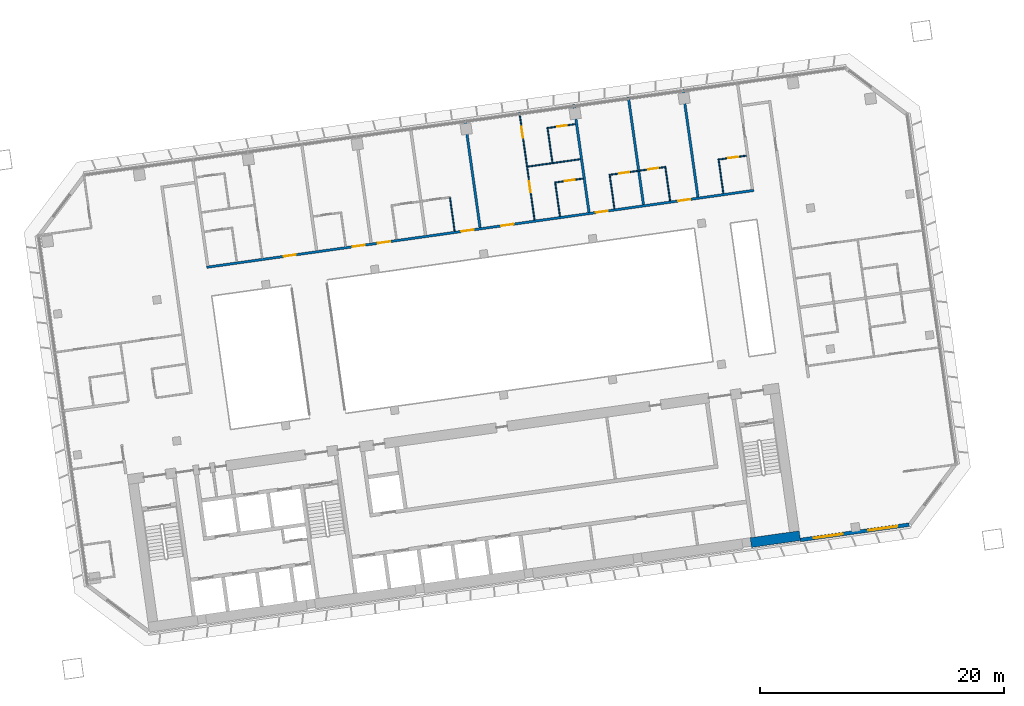
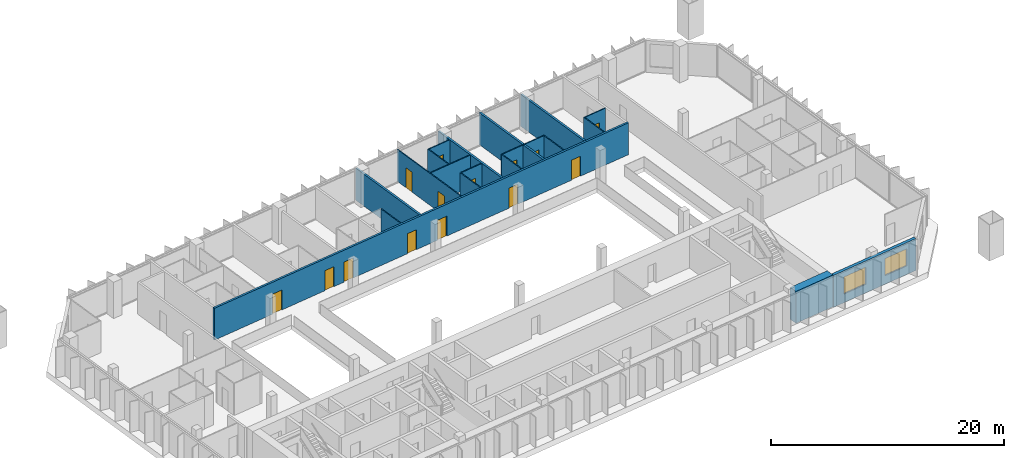
# One storey, part 21 of 26: 19 walls, 14 doors, 2 windows, 16 openings.
"""IFC4 building model written with IfcOpenShell, lengths in metres."""

from ifc_helpers import new_model, si_unit, direction, frame, frame_2d, origin, place, context, subcontext, project, spatial, rectangle, extrude, material, layer, layer_set, type_object, element, fill, save


model = new_model("IFC4")

# Units and contexts
model_context = context("Model", 3, precision=1e-05, world=origin(), true_north=direction((0.0, 1.0)))
body_context = subcontext(model_context, "Body", "Model", "MODEL_VIEW")
ifc_project = project(units=[si_unit("LENGTHUNIT", "METRE"), si_unit("AREAUNIT", "SQUARE_METRE"), si_unit("VOLUMEUNIT", "CUBIC_METRE"), si_unit("PLANEANGLEUNIT", "RADIAN"), si_unit("MASSUNIT", "GRAM", prefix="KILO")], contexts=[model_context])

# Site, building, storey
site_placement = place(None, origin())
site = spatial("IfcSite", under=ifc_project, at=site_placement, CompositionType="ELEMENT")
building_placement = place(site_placement, origin())
building = spatial("IfcBuilding", under=site, at=building_placement, Name="Mirante Cascada Hotel Towers", CompositionType="ELEMENT")
storey_placement = place(building_placement, frame((0.0, 0.0, 106.3)))
storey = spatial("IfcBuildingStorey", under=building, at=storey_placement, Name="L23", CompositionType="ELEMENT", Elevation=106.3)

# Wall, openings, doors
ifc_material_1 = material(Name="Fire-rated plasterboard on metal studs")
ifc_layer_1 = layer(ifc_material_1, 0.2)
ifc_layer_set_1 = layer_set([ifc_layer_1], Name="Compartment wall 200 EI 120")
wall_type_1 = type_object("IfcWallType", Name="Compartment wall 200 EI 120", PredefinedType="PARTITIONING", material=ifc_layer_set_1)
wall_1_placement = place(storey_placement, frame((41.8779, 9.7676, 0.0), z_axis=(0.0, 0.0, 1.0), x_axis=(0.9902681, 0.1391726, 0.0)))
wall_1 = element("IfcWall", 1, at=wall_1_placement, inside=storey, type_object=wall_type_1, Name="Wall 2-L23-18", PredefinedType="PARTITIONING", context=body_context, shape_type="SweptSolid", body=[
    extrude(rectangle(XDim=45.2, YDim=0.2, at=frame_2d((22.6, 0.0))), origin(), (0.0, 0.0, 1.0), 3.35),
])
opening_1_placement = place(wall_1_placement, frame((6.35, 0.0, 0.0)))
opening_1 = element("IfcOpeningElement", 2, at=opening_1_placement, cuts=wall_1, Name="Opening D2-L23-09", PredefinedType="OPENING", context=body_context, shape_type="SweptSolid", body=[
    extrude(rectangle(XDim=1.0, YDim=2.1, at=frame_2d((0.5, 1.05))), frame((0.0, 0.1, 0.0), z_axis=(0.0, -1.0, 0.0), x_axis=(1.0, 0.0, 0.0)), (0.0, 0.0, 1.0), 0.2),
])
opening_2_placement = place(wall_1_placement, frame((12.05, 0.0, 0.0)))
opening_2 = element("IfcOpeningElement", 3, at=opening_2_placement, cuts=wall_1, Name="Opening D2-L23-10", PredefinedType="OPENING", context=body_context, shape_type="SweptSolid", body=[
    extrude(rectangle(XDim=1.0, YDim=2.1, at=frame_2d((0.5, 1.05))), frame((0.0, 0.1, 0.0), z_axis=(0.0, -1.0, 0.0), x_axis=(1.0, 0.0, 0.0)), (0.0, 0.0, 1.0), 0.2),
])
opening_3_placement = place(wall_1_placement, frame((14.15, 0.0, 0.0)))
opening_3 = element("IfcOpeningElement", 4, at=opening_3_placement, cuts=wall_1, Name="Opening D2-L23-11", PredefinedType="OPENING", context=body_context, shape_type="SweptSolid", body=[
    extrude(rectangle(XDim=1.0, YDim=2.1, at=frame_2d((0.5, 1.05))), frame((0.0, 0.1, 0.0), z_axis=(0.0, -1.0, 0.0), x_axis=(1.0, 0.0, 0.0)), (0.0, 0.0, 1.0), 0.2),
])
opening_4_placement = place(wall_1_placement, frame((21.05, 0.0, 0.0)))
opening_4 = element("IfcOpeningElement", 5, at=opening_4_placement, cuts=wall_1, Name="Opening D2-L23-12", PredefinedType="OPENING", context=body_context, shape_type="SweptSolid", body=[
    extrude(rectangle(XDim=1.0, YDim=2.1, at=frame_2d((0.5, 1.05))), frame((0.0, 0.1, 0.0), z_axis=(0.0, -1.0, 0.0), x_axis=(1.0, 0.0, 0.0)), (0.0, 0.0, 1.0), 0.2),
])
opening_5_placement = place(wall_1_placement, frame((24.35, 0.0, 0.0)))
opening_5 = element("IfcOpeningElement", 6, at=opening_5_placement, cuts=wall_1, Name="Opening D2-L23-13", PredefinedType="OPENING", context=body_context, shape_type="SweptSolid", body=[
    extrude(rectangle(XDim=1.0, YDim=2.1, at=frame_2d((0.5, 1.05))), frame((0.0, 0.1, 0.0), z_axis=(0.0, -1.0, 0.0), x_axis=(1.0, 0.0, 0.0)), (0.0, 0.0, 1.0), 0.2),
])
opening_6_placement = place(wall_1_placement, frame((32.15, 0.0, 0.0)))
opening_6 = element("IfcOpeningElement", 7, at=opening_6_placement, cuts=wall_1, Name="Opening D2-L23-14", PredefinedType="OPENING", context=body_context, shape_type="SweptSolid", body=[
    extrude(rectangle(XDim=1.0, YDim=2.1, at=frame_2d((0.5, 1.05))), frame((0.0, 0.1, 0.0), z_axis=(0.0, -1.0, 0.0), x_axis=(1.0, 0.0, 0.0)), (0.0, 0.0, 1.0), 0.2),
])
opening_7_placement = place(wall_1_placement, frame((38.95, 0.0, 0.0)))
opening_7 = element("IfcOpeningElement", 8, at=opening_7_placement, cuts=wall_1, Name="Opening D2-L23-15", PredefinedType="OPENING", context=body_context, shape_type="SweptSolid", body=[
    extrude(rectangle(XDim=1.0, YDim=2.1, at=frame_2d((0.5, 1.05))), frame((0.0, 0.1, 0.0), z_axis=(0.0, -1.0, 0.0), x_axis=(1.0, 0.0, 0.0)), (0.0, 0.0, 1.0), 0.2),
])
ifc_material_2 = material(Name="Fire-rated timber door leaf", Category="wood")
door_type_1 = type_object("IfcDoorType", Name="Entrance door DG1 1000x2100 EI 60", OperationType="SINGLE_SWING_LEFT", PredefinedType="DOOR", material=ifc_material_2)
door_1_placement = place(opening_1_placement, origin())
door_1 = element("IfcDoor", 9, at=door_1_placement, inside=storey, type_object=door_type_1, Name="Door D2-L23-09", OperationType="SINGLE_SWING_LEFT", OverallHeight=2.1, OverallWidth=1.0, PredefinedType="DOOR", context=body_context, shape_type="SweptSolid", body=[
    extrude(rectangle(XDim=1.0, YDim=2.1, at=frame_2d((0.5, 1.05))), frame((0.0, 0.025, 0.0), z_axis=(0.0, -1.0, 0.0), x_axis=(1.0, 0.0, 0.0)), (0.0, 0.0, 1.0), 0.05),
])
fill(opening_1, door_1)
door_2_placement = place(opening_2_placement, origin())
door_2 = element("IfcDoor", 10, at=door_2_placement, inside=storey, type_object=door_type_1, Name="Door D2-L23-10", OperationType="SINGLE_SWING_LEFT", OverallHeight=2.1, OverallWidth=1.0, PredefinedType="DOOR", context=body_context, shape_type="SweptSolid", body=[
    extrude(rectangle(XDim=1.0, YDim=2.1, at=frame_2d((0.5, 1.05))), frame((0.0, 0.025, 0.0), z_axis=(0.0, -1.0, 0.0), x_axis=(1.0, 0.0, 0.0)), (0.0, 0.0, 1.0), 0.05),
])
fill(opening_2, door_2)
door_3_placement = place(opening_3_placement, origin())
door_3 = element("IfcDoor", 11, at=door_3_placement, inside=storey, type_object=door_type_1, Name="Door D2-L23-11", OperationType="SINGLE_SWING_LEFT", OverallHeight=2.1, OverallWidth=1.0, PredefinedType="DOOR", context=body_context, shape_type="SweptSolid", body=[
    extrude(rectangle(XDim=1.0, YDim=2.1, at=frame_2d((0.5, 1.05))), frame((0.0, 0.025, 0.0), z_axis=(0.0, -1.0, 0.0), x_axis=(1.0, 0.0, 0.0)), (0.0, 0.0, 1.0), 0.05),
])
fill(opening_3, door_3)
door_4_placement = place(opening_4_placement, origin())
door_4 = element("IfcDoor", 12, at=door_4_placement, inside=storey, type_object=door_type_1, Name="Door D2-L23-12", OperationType="SINGLE_SWING_LEFT", OverallHeight=2.1, OverallWidth=1.0, PredefinedType="DOOR", context=body_context, shape_type="SweptSolid", body=[
    extrude(rectangle(XDim=1.0, YDim=2.1, at=frame_2d((0.5, 1.05))), frame((0.0, 0.025, 0.0), z_axis=(0.0, -1.0, 0.0), x_axis=(1.0, 0.0, 0.0)), (0.0, 0.0, 1.0), 0.05),
])
fill(opening_4, door_4)
door_5_placement = place(opening_5_placement, origin())
door_5 = element("IfcDoor", 13, at=door_5_placement, inside=storey, type_object=door_type_1, Name="Door D2-L23-13", OperationType="SINGLE_SWING_LEFT", OverallHeight=2.1, OverallWidth=1.0, PredefinedType="DOOR", context=body_context, shape_type="SweptSolid", body=[
    extrude(rectangle(XDim=1.0, YDim=2.1, at=frame_2d((0.5, 1.05))), frame((0.0, 0.025, 0.0), z_axis=(0.0, -1.0, 0.0), x_axis=(1.0, 0.0, 0.0)), (0.0, 0.0, 1.0), 0.05),
])
fill(opening_5, door_5)
door_6_placement = place(opening_6_placement, origin())
door_6 = element("IfcDoor", 14, at=door_6_placement, inside=storey, type_object=door_type_1, Name="Door D2-L23-14", OperationType="SINGLE_SWING_LEFT", OverallHeight=2.1, OverallWidth=1.0, PredefinedType="DOOR", context=body_context, shape_type="SweptSolid", body=[
    extrude(rectangle(XDim=1.0, YDim=2.1, at=frame_2d((0.5, 1.05))), frame((0.0, 0.025, 0.0), z_axis=(0.0, -1.0, 0.0), x_axis=(1.0, 0.0, 0.0)), (0.0, 0.0, 1.0), 0.05),
])
fill(opening_6, door_6)
door_7_placement = place(opening_7_placement, origin())
door_7 = element("IfcDoor", 15, at=door_7_placement, inside=storey, type_object=door_type_1, Name="Door D2-L23-15", OperationType="SINGLE_SWING_LEFT", OverallHeight=2.1, OverallWidth=1.0, PredefinedType="DOOR", context=body_context, shape_type="SweptSolid", body=[
    extrude(rectangle(XDim=1.0, YDim=2.1, at=frame_2d((0.5, 1.05))), frame((0.0, 0.025, 0.0), z_axis=(0.0, -1.0, 0.0), x_axis=(1.0, 0.0, 0.0)), (0.0, 0.0, 1.0), 0.05),
])
fill(opening_7, door_7)

# Walls
for number, where, z_axis, x_axis, name in (
    (16, (63.0054, 21.8253, 0.0), (0.0, 0.0, 1.0), (0.1391684, -0.9902687, 0.0), "Wall 2-L23-49"),
    (17, (71.9178, 23.0779, 0.0), (0.0, 0.0, 1.0), (0.1391684, -0.9902687, 0.0), "Wall 2-L23-53"),
    (18, (76.374, 23.7042, 0.0), (0.0, 0.0, 1.0), (0.1391684, -0.9902687, 0.0), "Wall 2-L23-55"),
):
    element("IfcWall", number, at=place(storey_placement, frame(where, z_axis=z_axis, x_axis=x_axis)), inside=storey, type_object=wall_type_1, Name=name, PredefinedType="PARTITIONING", context=body_context, shape_type="SweptSolid", body=[
        extrude(rectangle(XDim=8.9, YDim=0.2, at=frame_2d((4.45, 0.0))), origin(), (0.0, 0.0, 1.0), 3.35),
    ])
wall_2_placement = place(storey_placement, frame((80.8302, 24.3304, 0.0), z_axis=(0.0, 0.0, 1.0), x_axis=(0.13917, -0.9902685, 0.0)))
element("IfcWall", 19, at=wall_2_placement, inside=storey, type_object=wall_type_1, Name="Wall 2-L23-57", PredefinedType="PARTITIONING", context=body_context, shape_type="SweptSolid", body=[
    extrude(rectangle(XDim=8.8999, YDim=0.2, at=frame_2d((4.45, 0.0))), origin(), (0.0, 0.0, 1.0), 3.35),
])

# Wall, opening, door
ifc_material_3 = material(Name="Plasterboard on metal studs")
ifc_layer_2 = layer(ifc_material_3, 0.1)
ifc_layer_set_2 = layer_set([ifc_layer_2], Name="Partition 100")
wall_type_2 = type_object("IfcWallType", Name="Partition 100", PredefinedType="PARTITIONING", material=ifc_layer_set_2)
wall_3_placement = place(storey_placement, frame((70.4396, 16.7102, 0.0), z_axis=(0.0, 0.0, 1.0), x_axis=(0.9902705, 0.1391561, 0.0)))
wall_3 = element("IfcWall", 20, at=wall_3_placement, inside=storey, type_object=wall_type_2, Name="Wall 2-L23-22", PredefinedType="PARTITIONING", context=body_context, shape_type="SweptSolid", body=[
    extrude(rectangle(XDim=2.25, YDim=0.1, at=frame_2d((1.125, 0.0))), origin(), (0.0, 0.0, 1.0), 3.35),
])
opening_8_placement = place(wall_3_placement, frame((0.75, 0.0, 0.0)))
opening_8 = element("IfcOpeningElement", 21, at=opening_8_placement, cuts=wall_3, Name="Opening D2-L23-20", PredefinedType="OPENING", context=body_context, shape_type="SweptSolid", body=[
    extrude(rectangle(XDim=0.8, YDim=2.1, at=frame_2d((0.4, 1.05))), frame((0.0, 0.05, 0.0), z_axis=(0.0, -1.0, 0.0), x_axis=(1.0, 0.0, 0.0)), (0.0, 0.0, 1.0), 0.1),
])
ifc_material_4 = material(Name="Timber door leaf", Category="wood")
door_type_2 = type_object("IfcDoorType", Name="Bathroom door DG4 800x2100", OperationType="SINGLE_SWING_LEFT", PredefinedType="DOOR", material=ifc_material_4)
door_8_placement = place(opening_8_placement, frame((0.8, 0.0, 0.0), z_axis=(0.0, 0.0, 1.0), x_axis=(-1.0, 0.0, 0.0)))
door_8 = element("IfcDoor", 22, at=door_8_placement, inside=storey, type_object=door_type_2, Name="Door D2-L23-20", OperationType="SINGLE_SWING_RIGHT", OverallHeight=2.1, OverallWidth=0.8, PredefinedType="DOOR", context=body_context, shape_type="SweptSolid", body=[
    extrude(rectangle(XDim=0.8, YDim=2.1, at=frame_2d((0.4, 1.05))), frame((0.0, 0.025, 0.0), z_axis=(0.0, -1.0, 0.0), x_axis=(1.0, 0.0, 0.0)), (0.0, 0.0, 1.0), 0.05),
])
fill(opening_8, door_8)

# Wall, openings, doors
wall_4_placement = place(storey_placement, frame((79.451, 17.9767, 0.0), z_axis=(0.0, 0.0, 1.0), x_axis=(-0.9902682, -0.139172, 0.0)))
wall_4 = element("IfcWall", 23, at=wall_4_placement, inside=storey, type_object=wall_type_2, Name="Wall 2-L23-23", PredefinedType="PARTITIONING", context=body_context, shape_type="SweptSolid", body=[
    extrude(rectangle(XDim=4.6999, YDim=0.1, at=frame_2d((2.35, 0.0))), origin(), (0.0, 0.0, 1.0), 3.35),
])
opening_9_placement = place(wall_4_placement, frame((3.05, 0.0, 0.0)))
opening_9 = element("IfcOpeningElement", 24, at=opening_9_placement, cuts=wall_4, Name="Opening D2-L23-21", PredefinedType="OPENING", context=body_context, shape_type="SweptSolid", body=[
    extrude(rectangle(XDim=0.8, YDim=2.1, at=frame_2d((0.4, 1.05))), frame((0.0, 0.05, 0.0), z_axis=(0.0, -1.0, 0.0), x_axis=(1.0, 0.0, 0.0)), (0.0, 0.0, 1.0), 0.1),
])
opening_10_placement = place(wall_4_placement, frame((0.65, 0.0, 0.0)))
opening_10 = element("IfcOpeningElement", 25, at=opening_10_placement, cuts=wall_4, Name="Opening D2-L23-22", PredefinedType="OPENING", context=body_context, shape_type="SweptSolid", body=[
    extrude(rectangle(XDim=0.8, YDim=2.1, at=frame_2d((0.4, 1.05))), frame((0.0, 0.05, 0.0), z_axis=(0.0, -1.0, 0.0), x_axis=(1.0, 0.0, 0.0)), (0.0, 0.0, 1.0), 0.1),
])
door_9_placement = place(opening_9_placement, frame((0.8, 0.0, 0.0), z_axis=(0.0, 0.0, 1.0), x_axis=(-1.0, 0.0, 0.0)))
door_9 = element("IfcDoor", 26, at=door_9_placement, inside=storey, type_object=door_type_2, Name="Door D2-L23-21", OperationType="SINGLE_SWING_RIGHT", OverallHeight=2.1, OverallWidth=0.8, PredefinedType="DOOR", context=body_context, shape_type="SweptSolid", body=[
    extrude(rectangle(XDim=0.8, YDim=2.1, at=frame_2d((0.4, 1.05))), frame((0.0, 0.025, 0.0), z_axis=(0.0, -1.0, 0.0), x_axis=(1.0, 0.0, 0.0)), (0.0, 0.0, 1.0), 0.05),
])
fill(opening_9, door_9)
door_10_placement = place(opening_10_placement, frame((0.8, 0.0, 0.0), z_axis=(0.0, 0.0, 1.0), x_axis=(-1.0, 0.0, 0.0)))
door_10 = element("IfcDoor", 27, at=door_10_placement, inside=storey, type_object=door_type_2, Name="Door D2-L23-22", OperationType="SINGLE_SWING_RIGHT", OverallHeight=2.1, OverallWidth=0.8, PredefinedType="DOOR", context=body_context, shape_type="SweptSolid", body=[
    extrude(rectangle(XDim=0.8, YDim=2.1, at=frame_2d((0.4, 1.05))), frame((0.0, 0.025, 0.0), z_axis=(0.0, -1.0, 0.0), x_axis=(1.0, 0.0, 0.0)), (0.0, 0.0, 1.0), 0.05),
])
fill(opening_10, door_10)

# Wall, opening, door
wall_5_placement = place(storey_placement, frame((83.8082, 18.589, 0.0), z_axis=(0.0, 0.0, 1.0), x_axis=(0.9902643, 0.1391997, 0.0)))
wall_5 = element("IfcWall", 28, at=wall_5_placement, inside=storey, type_object=wall_type_2, Name="Wall 2-L23-24", PredefinedType="PARTITIONING", context=body_context, shape_type="SweptSolid", body=[
    extrude(rectangle(XDim=2.25, YDim=0.1, at=frame_2d((1.125, 0.0))), origin(), (0.0, 0.0, 1.0), 3.35),
])
opening_11_placement = place(wall_5_placement, frame((0.75, 0.0, 0.0)))
opening_11 = element("IfcOpeningElement", 29, at=opening_11_placement, cuts=wall_5, Name="Opening D2-L23-23", PredefinedType="OPENING", context=body_context, shape_type="SweptSolid", body=[
    extrude(rectangle(XDim=0.8, YDim=2.1, at=frame_2d((0.4, 1.05))), frame((0.0, 0.05, 0.0), z_axis=(0.0, -1.0, 0.0), x_axis=(1.0, 0.0, 0.0)), (0.0, 0.0, 1.0), 0.1),
])
door_11_placement = place(opening_11_placement, origin())
door_11 = element("IfcDoor", 30, at=door_11_placement, inside=storey, type_object=door_type_2, Name="Door D2-L23-23", OperationType="SINGLE_SWING_LEFT", OverallHeight=2.1, OverallWidth=0.8, PredefinedType="DOOR", context=body_context, shape_type="SweptSolid", body=[
    extrude(rectangle(XDim=0.8, YDim=2.1, at=frame_2d((0.4, 1.05))), frame((0.0, 0.025, 0.0), z_axis=(0.0, -1.0, 0.0), x_axis=(1.0, 0.0, 0.0)), (0.0, 0.0, 1.0), 0.05),
])
fill(opening_11, door_11)

# Wall
wall_6_placement = place(storey_placement, frame((72.445, 18.6078, 0.0), z_axis=(0.0, 0.0, 1.0), x_axis=(-0.9902679, -0.1391745, 0.0)))
element("IfcWall", 31, at=wall_6_placement, inside=storey, type_object=wall_type_2, Name="Wall 2-L23-27", PredefinedType="PARTITIONING", context=body_context, shape_type="SweptSolid", body=[
    extrude(rectangle(XDim=4.3499, YDim=0.1, at=frame_2d((2.175, 0.0))), origin(), (0.0, 0.0, 1.0), 3.35),
])

# Wall, opening, door
wall_7_placement = place(storey_placement, frame((72.0414, 21.4795, 0.0), z_axis=(0.0, 0.0, 1.0), x_axis=(-0.9902705, -0.1391561, 0.0)))
wall_7 = element("IfcWall", 32, at=wall_7_placement, inside=storey, type_object=wall_type_2, Name="Wall 2-L23-31", PredefinedType="PARTITIONING", context=body_context, shape_type="SweptSolid", body=[
    extrude(rectangle(XDim=2.25, YDim=0.1, at=frame_2d((1.125, 0.0))), origin(), (0.0, 0.0, 1.0), 3.35),
])
opening_12_placement = place(wall_7_placement, frame((0.7, 0.0, 0.0)))
opening_12 = element("IfcOpeningElement", 33, at=opening_12_placement, cuts=wall_7, Name="Opening D2-L23-25", PredefinedType="OPENING", context=body_context, shape_type="SweptSolid", body=[
    extrude(rectangle(XDim=0.8, YDim=2.1, at=frame_2d((0.4, 1.05))), frame((0.0, 0.05, 0.0), z_axis=(0.0, -1.0, 0.0), x_axis=(1.0, 0.0, 0.0)), (0.0, 0.0, 1.0), 0.1),
])
door_12_placement = place(opening_12_placement, origin())
door_12 = element("IfcDoor", 34, at=door_12_placement, inside=storey, type_object=door_type_2, Name="Door D2-L23-25", OperationType="SINGLE_SWING_LEFT", OverallHeight=2.1, OverallWidth=0.8, PredefinedType="DOOR", context=body_context, shape_type="SweptSolid", body=[
    extrude(rectangle(XDim=0.8, YDim=2.1, at=frame_2d((0.4, 1.05))), frame((0.0, 0.025, 0.0), z_axis=(0.0, -1.0, 0.0), x_axis=(1.0, 0.0, 0.0)), (0.0, 0.0, 1.0), 0.05),
])
fill(opening_12, door_12)

# Wall
wall_8_placement = place(storey_placement, frame((62.1644, 12.7197, 0.0), z_axis=(0.0, 0.0, 1.0), x_axis=(-0.1391657, 0.9902691, 0.0)))
element("IfcWall", 35, at=wall_8_placement, inside=storey, type_object=wall_type_2, Name="Wall 2-L23-48", PredefinedType="PARTITIONING", context=body_context, shape_type="SweptSolid", body=[
    extrude(rectangle(XDim=2.75, YDim=0.1, at=frame_2d((1.375, 0.0))), origin(), (0.0, 0.0, 1.0), 3.35),
])

# Wall, openings, doors
wall_9_placement = place(storey_placement, frame((68.7002, 13.6382, 0.0), z_axis=(0.0, 0.0, 1.0), x_axis=(-0.1391684, 0.9902687, 0.0)))
wall_9 = element("IfcWall", 36, at=wall_9_placement, inside=storey, type_object=wall_type_2, Name="Wall 2-L23-50", PredefinedType="PARTITIONING", context=body_context, shape_type="SweptSolid", body=[
    extrude(rectangle(XDim=8.9, YDim=0.1, at=frame_2d((4.45, 0.0))), origin(), (0.0, 0.0, 1.0), 3.35),
])
opening_13_placement = place(wall_9_placement, frame((2.3, 0.0, 0.0)))
opening_13 = element("IfcOpeningElement", 37, at=opening_13_placement, cuts=wall_9, Name="Opening D2-L23-34", PredefinedType="OPENING", context=body_context, shape_type="SweptSolid", body=[
    extrude(rectangle(XDim=0.9, YDim=2.1, at=frame_2d((0.45, 1.05))), frame((0.0, 0.05, 0.0), z_axis=(0.0, -1.0, 0.0), x_axis=(1.0, 0.0, 0.0)), (0.0, 0.0, 1.0), 0.1),
])
opening_14_placement = place(wall_9_placement, frame((6.8, 0.0, 0.0)))
opening_14 = element("IfcOpeningElement", 38, at=opening_14_placement, cuts=wall_9, Name="Opening D2-L23-35", PredefinedType="OPENING", context=body_context, shape_type="SweptSolid", body=[
    extrude(rectangle(XDim=0.9, YDim=2.1, at=frame_2d((0.45, 1.05))), frame((0.0, 0.05, 0.0), z_axis=(0.0, -1.0, 0.0), x_axis=(1.0, 0.0, 0.0)), (0.0, 0.0, 1.0), 0.1),
])
ifc_material_5 = material(Name="Timber door leaf", Category="wood")
door_type_3 = type_object("IfcDoorType", Name="Room door DG3 900x2100", OperationType="SINGLE_SWING_LEFT", PredefinedType="DOOR", material=ifc_material_5)
door_13_placement = place(opening_13_placement, origin())
door_13 = element("IfcDoor", 39, at=door_13_placement, inside=storey, type_object=door_type_3, Name="Door D2-L23-34", OperationType="SINGLE_SWING_LEFT", OverallHeight=2.1, OverallWidth=0.9, PredefinedType="DOOR", context=body_context, shape_type="SweptSolid", body=[
    extrude(rectangle(XDim=0.9, YDim=2.1, at=frame_2d((0.45, 1.05))), frame((0.0, 0.025, 0.0), z_axis=(0.0, -1.0, 0.0), x_axis=(1.0, 0.0, 0.0)), (0.0, 0.0, 1.0), 0.05),
])
fill(opening_13, door_13)
door_14_placement = place(opening_14_placement, origin())
door_14 = element("IfcDoor", 40, at=door_14_placement, inside=storey, type_object=door_type_3, Name="Door D2-L23-35", OperationType="SINGLE_SWING_LEFT", OverallHeight=2.1, OverallWidth=0.9, PredefinedType="DOOR", context=body_context, shape_type="SweptSolid", body=[
    extrude(rectangle(XDim=0.9, YDim=2.1, at=frame_2d((0.45, 1.05))), frame((0.0, 0.025, 0.0), z_axis=(0.0, -1.0, 0.0), x_axis=(1.0, 0.0, 0.0)), (0.0, 0.0, 1.0), 0.05),
])
fill(opening_14, door_14)

# Walls
wall_10_placement = place(storey_placement, frame((70.3831, 16.7527, 0.0), z_axis=(0.0, 0.0, 1.0), x_axis=(0.1391957, -0.9902649, 0.0)))
element("IfcWall", 41, at=wall_10_placement, inside=storey, type_object=wall_type_2, Name="Wall 2-L23-51", PredefinedType="PARTITIONING", context=body_context, shape_type="SweptSolid", body=[
    extrude(rectangle(XDim=2.8499, YDim=0.1, at=frame_2d((1.425, 0.0))), origin(), (0.0, 0.0, 1.0), 3.35),
])
wall_11_placement = place(storey_placement, frame((70.1605, 18.3372, 0.0), z_axis=(0.0, 0.0, 1.0), x_axis=(-0.1392052, 0.9902636, 0.0)))
element("IfcWall", 42, at=wall_11_placement, inside=storey, type_object=wall_type_2, Name="Wall 2-L23-52", PredefinedType="PARTITIONING", context=body_context, shape_type="SweptSolid", body=[
    extrude(rectangle(XDim=2.9, YDim=0.1, at=frame_2d((1.45, 0.0))), origin(), (0.0, 0.0, 1.0), 3.35),
])
for number, where, z_axis, x_axis, name in (
    (43, (75.236, 14.5568, 0.0), (0.0, 0.0, 1.0), (-0.1391657, 0.9902691, 0.0), "Wall 2-L23-54"),
    (44, (79.7912, 15.197, 0.0), (0.0, 0.0, 1.0), (-0.1391657, 0.9902691, 0.0), "Wall 2-L23-56"),
):
    element("IfcWall", number, at=place(storey_placement, frame(where, z_axis=z_axis, x_axis=x_axis)), inside=storey, type_object=wall_type_2, Name=name, PredefinedType="PARTITIONING", context=body_context, shape_type="SweptSolid", body=[
        extrude(rectangle(XDim=2.75, YDim=0.1, at=frame_2d((1.375, 0.0))), origin(), (0.0, 0.0, 1.0), 3.35),
    ])
wall_12_placement = place(storey_placement, frame((84.1484, 15.8093, 0.0), z_axis=(0.0, 0.0, 1.0), x_axis=(-0.1391909, 0.9902656, 0.0)))
element("IfcWall", 45, at=wall_12_placement, inside=storey, type_object=wall_type_2, Name="Wall 2-L23-58", PredefinedType="PARTITIONING", context=body_context, shape_type="SweptSolid", body=[
    extrude(rectangle(XDim=2.85, YDim=0.1, at=frame_2d((1.425, 0.0))), origin(), (0.0, 0.0, 1.0), 3.35),
])

# Wall, openings, windows
ifc_material_6 = material(Name="Precast concrete C40/50", Category="concrete")
ifc_layer_3 = layer(ifc_material_6, 0.3)
ifc_layer_set_3 = layer_set([ifc_layer_3], Name="Precast concrete C40/50 cladding wall 300")
wall_type_3 = type_object("IfcWallType", Name="Precast concrete C40/50 cladding wall 300", PredefinedType="STANDARD", material=ifc_layer_set_3)
wall_13_placement = place(storey_placement, frame((90.4551, -12.5388, 0.0), z_axis=(0.0, 0.0, 1.0), x_axis=(0.990268, 0.1391734, 0.0)))
wall_13 = element("IfcWall", 46, at=wall_13_placement, inside=storey, type_object=wall_type_3, Name="Rear cladding wall T2 L23 1", PredefinedType="STANDARD", context=body_context, shape_type="SweptSolid", body=[
    extrude(rectangle(XDim=8.9759, YDim=0.3, at=frame_2d((4.488, 0.0))), origin(), (0.0, 0.0, 1.0), 3.35),
])
opening_15_placement = place(wall_13_placement, frame((1.1012, 0.0, 0.9)))
opening_15 = element("IfcOpeningElement", 47, at=opening_15_placement, cuts=wall_13, Name="Opening W2-23-01", PredefinedType="OPENING", context=body_context, shape_type="SweptSolid", body=[
    extrude(rectangle(XDim=2.4, YDim=1.8, at=frame_2d((1.2, 0.9))), frame((0.0, 0.15, 0.0), z_axis=(0.0, -1.0, 0.0), x_axis=(1.0, 0.0, 0.0)), (0.0, 0.0, 1.0), 0.3),
])
opening_16_placement = place(wall_13_placement, frame((5.5923, 0.0, 0.9)))
opening_16 = element("IfcOpeningElement", 48, at=opening_16_placement, cuts=wall_13, Name="Opening W2-23-02", PredefinedType="OPENING", context=body_context, shape_type="SweptSolid", body=[
    extrude(rectangle(XDim=2.4, YDim=1.8, at=frame_2d((1.2, 0.9))), frame((0.0, 0.15, 0.0), z_axis=(0.0, -1.0, 0.0), x_axis=(1.0, 0.0, 0.0)), (0.0, 0.0, 1.0), 0.3),
])
ifc_material_7 = material(Name="Aluminium frame with clear double glazing", Category="aluminium")
window_type = type_object("IfcWindowType", Name="Punched window 2400x1800", PartitioningType="DOUBLE_PANEL_VERTICAL", PredefinedType="WINDOW", material=ifc_material_7)
window_1_placement = place(opening_15_placement, origin())
window_1 = element("IfcWindow", 49, at=window_1_placement, inside=storey, type_object=window_type, Name="Window W2-23-01", OverallHeight=1.8, OverallWidth=2.4, PartitioningType="SINGLE_PANEL", PredefinedType="WINDOW", context=body_context, shape_type="SweptSolid", body=[
    extrude(rectangle(XDim=2.4, YDim=1.8, at=frame_2d((1.2, 0.9))), frame((0.0, 0.03, 0.0), z_axis=(0.0, -1.0, 0.0), x_axis=(1.0, 0.0, 0.0)), (0.0, 0.0, 1.0), 0.06),
])
fill(opening_15, window_1)
window_2_placement = place(opening_16_placement, origin())
window_2 = element("IfcWindow", 50, at=window_2_placement, inside=storey, type_object=window_type, Name="Window W2-23-02", OverallHeight=1.8, OverallWidth=2.4, PartitioningType="SINGLE_PANEL", PredefinedType="WINDOW", context=body_context, shape_type="SweptSolid", body=[
    extrude(rectangle(XDim=2.4, YDim=1.8, at=frame_2d((1.2, 0.9))), frame((0.0, 0.03, 0.0), z_axis=(0.0, -1.0, 0.0), x_axis=(1.0, 0.0, 0.0)), (0.0, 0.0, 1.0), 0.06),
])
fill(opening_16, window_2)

# Wall
ifc_material_8 = material(Name="Concrete C50/60", Category="concrete")
ifc_layer_4 = layer(ifc_material_8, 0.8)
ifc_layer_set_4 = layer_set([ifc_layer_4], Name="RC core wall 800 C50/60")
wall_type_4 = type_object("IfcWallType", Name="RC core wall 800 C50/60", PredefinedType="SHEAR", material=ifc_layer_set_4)
wall_14_placement = place(storey_placement, frame((86.3958, -12.7559, 0.0), z_axis=(0.0, 0.0, 1.0), x_axis=(0.9902665, 0.1391845, 0.0)))
element("IfcWall", 51, at=wall_14_placement, inside=storey, type_object=wall_type_4, Name="Core wall T2:L23:1.7", PredefinedType="SHEAR", context=body_context, shape_type="SweptSolid", body=[
    extrude(rectangle(XDim=4.05, YDim=0.8, at=frame_2d((2.025, 0.0))), origin(), (0.0, 0.0, 1.0), 3.35),
])

save(model, "model.ifc")
